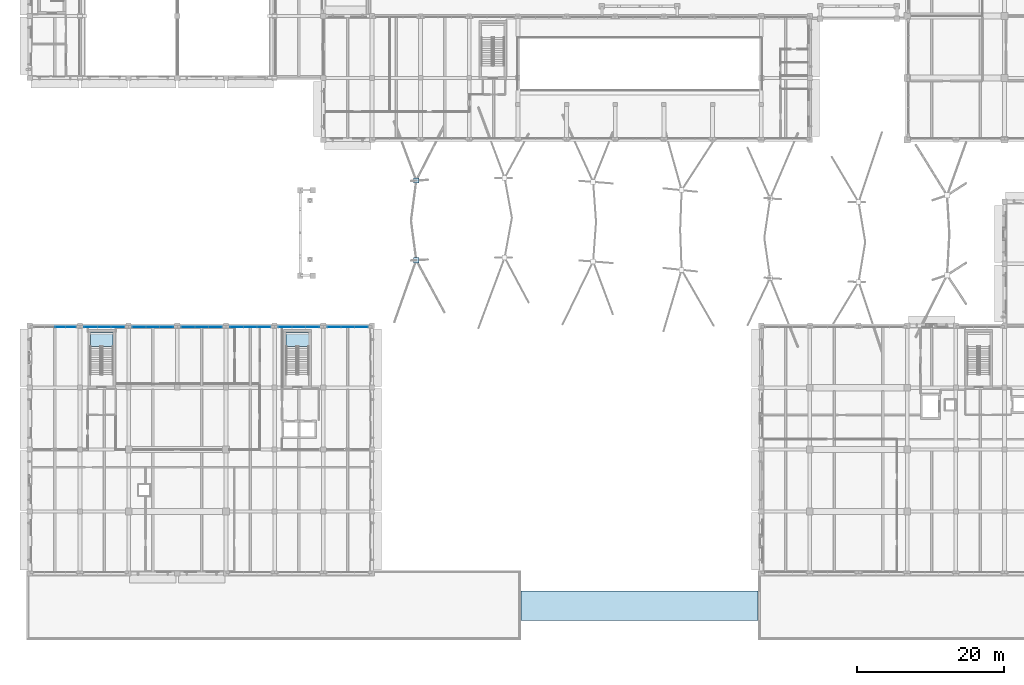
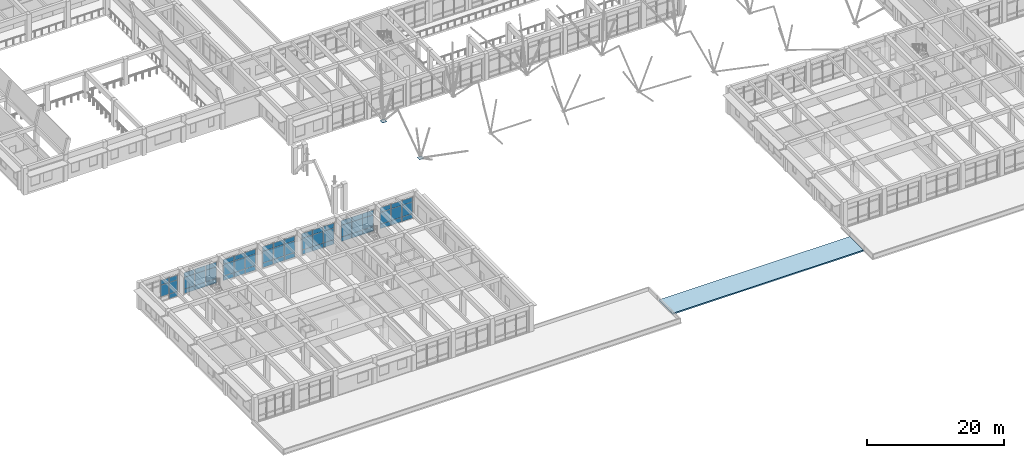
# One storey, part 32 of 75: 61 plates, 3 slabs, 9 elements without a shape of their own.
"""IFC4 building model written with IfcOpenShell, lengths in metres."""

import ifcopenshell
import ifcopenshell.guid

model = None  # the IFC model being written
_history = None  # IfcOwnerHistory: only IFC2X3 demands one
_inside = {}  # id of a spatial element -> (the spatial element, [elements in it])
_under = {}  # id of a project, library or spatial element -> (it, [spatial elements below it])
_declared = {}  # id of a project -> (the project, [libraries it declares])
_typed = {}  # id of a type object -> (the type object, [elements of that type])
_made_of = {}  # id of a material, layer set ... -> (it, [elements and type objects made of it])


def new_model(schema):
    """Start an empty IFC model of exactly this schema.

    Asked for "IFC4X3", IfcOpenShell would pick the latest addendum, in which some entities
    have other attributes; the version numbers below select the first issue.
    IFC2X3 requires an IfcOwnerHistory on every rooted entity: one is made here for all.
    """
    global model, _history
    if schema == "IFC4X3":
        model = ifcopenshell.file(schema_version=(4, 3, 0, 0))
    else:
        model = ifcopenshell.file(schema=schema)
    _inside.clear()
    _under.clear()
    _declared.clear()
    _typed.clear()
    _made_of.clear()
    _history = None
    if model.schema == "IFC2X3":
        org = make("IfcOrganization", Name="unknown")
        user = make(
            "IfcPersonAndOrganization",
            ThePerson=make("IfcPerson", FamilyName="unknown"),
            TheOrganization=org,
        )
        app = make(
            "IfcApplication",
            ApplicationDeveloper=org,
            Version="unknown",
            ApplicationFullName="unknown",
            ApplicationIdentifier="unknown",
        )
        _history = make(
            "IfcOwnerHistory",
            OwningUser=user,
            OwningApplication=app,
            ChangeAction="ADDED",
            CreationDate=0,
        )
    return model


def make(cls, **values):
    """One entity of the class cls with the attributes given. An attribute that is None is left unset."""
    return model.create_entity(
        cls, **{name: value for name, value in values.items() if value is not None}
    )


def rooted(cls, **values):
    """An entity with a GlobalId (a new one), such as an element, a storey or a relation."""
    return make(cls, GlobalId=ifcopenshell.guid.new(), OwnerHistory=_history, **values)


def si_unit(unit_type, name, prefix=None):
    """IfcSIUnit, for example si_unit("LENGTHUNIT", "METRE", prefix="MILLI")."""
    return make("IfcSIUnit", UnitType=unit_type, Prefix=prefix, Name=name)


def assignment(units):
    """IfcUnitAssignment: the units of a project."""
    return None if units is None else make("IfcUnitAssignment", Units=units)


def point(xyz):
    """IfcCartesianPoint."""
    return None if xyz is None else make("IfcCartesianPoint", Coordinates=xyz)


def direction(xyz):
    """IfcDirection."""
    return None if xyz is None else make("IfcDirection", DirectionRatios=xyz)


def frame(location, z_axis=None, x_axis=None):
    """IfcAxis2Placement3D, a coordinate frame: its origin and axes. An axis left out is left unset."""
    return make(
        "IfcAxis2Placement3D",
        Location=point(location),
        Axis=direction(z_axis),
        RefDirection=direction(x_axis),
    )


def frame_2d(location, x_axis=None):
    """IfcAxis2Placement2D, a coordinate frame in the plane: its origin and x axis."""
    return make(
        "IfcAxis2Placement2D", Location=point(location), RefDirection=direction(x_axis)
    )


def origin():
    """The frame at (0, 0, 0) with its axes left unset."""
    return frame((0.0, 0.0, 0.0))


def origin_2d():
    """The frame at (0, 0) in the plane with its x axis left unset."""
    return frame_2d((0.0, 0.0))


def place(relative_to, where):
    """IfcLocalPlacement: puts the frame where relative to a parent placement (None: the world)."""
    return make(
        "IfcLocalPlacement", PlacementRelTo=relative_to, RelativePlacement=where
    )


def context(
    kind, dimensions, precision=None, world=None, true_north=None, identifier=None
):
    """IfcGeometricRepresentationContext, for example the 3D "Model" context."""
    return make(
        "IfcGeometricRepresentationContext",
        ContextIdentifier=identifier,
        ContextType=kind,
        CoordinateSpaceDimension=dimensions,
        Precision=precision,
        WorldCoordinateSystem=world,
        TrueNorth=true_north,
    )


def subcontext(parent, identifier, kind, view, scale=None):
    """IfcGeometricRepresentationSubContext, for example "Body" below "Model"."""
    return make(
        "IfcGeometricRepresentationSubContext",
        ContextIdentifier=identifier,
        ContextType=kind,
        ParentContext=parent,
        TargetScale=scale,
        TargetView=view,
    )


def project(units=None, contexts=None):
    """IfcProject with its units and contexts."""
    return rooted(
        "IfcProject",
        Name="project",
        RepresentationContexts=contexts,
        UnitsInContext=assignment(units),
    )


def spatial(cls, under=None, at=None, **own):
    """A site, building, storey or space (cls), placed at a placement, below another one or the project."""
    s = rooted(cls, ObjectPlacement=at, **own)
    if under is not None:
        _under.setdefault(under.id(), (under, []))[1].append(s)
    return s


def polyline(points):
    """IfcPolyline through the points."""
    return make("IfcPolyline", Points=[point(p) for p in points])


def profile(cls, at=None, kind="AREA", **sizes):
    """A parametric profile (cls). Its sizes go by their IFC names, for example OverallWidth=200.0."""
    return make(cls, ProfileType=kind, Position=at, **sizes)


def rectangle(**sizes):
    """IfcRectangleProfileDef."""
    return profile("IfcRectangleProfileDef", **sizes)


def outline(outer, holes=None, kind="AREA"):
    """IfcArbitraryClosedProfileDef: a profile drawn as a closed curve; with holes, ...WithVoids."""
    if holes is None:
        return make("IfcArbitraryClosedProfileDef", ProfileType=kind, OuterCurve=outer)
    return make(
        "IfcArbitraryProfileDefWithVoids",
        ProfileType=kind,
        OuterCurve=outer,
        InnerCurves=holes,
    )


def extrude(swept, where, along, depth):
    """IfcExtrudedAreaSolid: the profile swept, set in the frame where, extruded along a direction by depth."""
    return make(
        "IfcExtrudedAreaSolid",
        SweptArea=swept,
        Position=where,
        ExtrudedDirection=direction(along),
        Depth=depth,
    )


def shape(context_of_items, identifier, shape_type, items):
    """IfcShapeRepresentation: the items that make up one representation, for example the "Body"."""
    return make(
        "IfcShapeRepresentation",
        ContextOfItems=context_of_items,
        RepresentationIdentifier=identifier,
        RepresentationType=shape_type,
        Items=items,
    )


def material(Name=None, Category=None):
    """IfcMaterial."""
    return make("IfcMaterial", Name=Name, Category=Category)


def layer(
    of_material, thickness, ventilated=None, Name=None, Category=None, Priority=None
):
    """IfcMaterialLayer: one layer of a wall or slab, of a material (None: an air gap)."""
    return make(
        "IfcMaterialLayer",
        Material=of_material,
        LayerThickness=thickness,
        IsVentilated=ventilated,
        Name=Name,
        Category=Category,
        Priority=Priority,
    )


def layer_set(layers, Name=None):
    """IfcMaterialLayerSet."""
    return make("IfcMaterialLayerSet", MaterialLayers=layers, LayerSetName=Name)


def made_of(thing, what):
    """Note that an element or type object is made of a material, layer set ...; save() writes the relation."""
    if what is not None:
        _made_of.setdefault(what.id(), (what, []))[1].append(thing)
    return thing


def type_object(cls, material=None, **own):
    """A type object (cls), such as IfcWallType, which elements share."""
    return made_of(rooted(cls, **own), material)


def element(
    cls,
    number,
    at=None,
    inside=None,
    cuts=None,
    type_object=None,
    material=None,
    context=None,
    identifier="Body",
    shape_type=None,
    held_by="IfcProductDefinitionShape",
    body=None,
    shapes=None,
    **own,
):
    """One element of the class cls, such as IfcWall. Its Tag is "e" and its number.

    at: its placement. inside: the storey or other place that contains it. cuts: it is an
    opening in that element (IfcRelVoidsElement). A single representation is given by context,
    identifier, shape_type and body (its items); several are given by shapes. held_by: the class
    of the entity that holds the representations. save() writes the other relations.
    """
    e = rooted(cls, Tag="e%d" % number, ObjectPlacement=at, **own)
    if body is not None:
        shapes = [shape(context, identifier, shape_type, body)]
    if shapes is not None:
        e.Representation = make(held_by, Representations=shapes)
    if inside is not None:
        _inside.setdefault(inside.id(), (inside, []))[1].append(e)
    if cuts is not None:
        rooted(
            "IfcRelVoidsElement", RelatingBuildingElement=cuts, RelatedOpeningElement=e
        )
    if type_object is not None:
        _typed.setdefault(type_object.id(), (type_object, []))[1].append(e)
    return made_of(e, material)


def aggregate(whole, parts):
    """IfcRelAggregates: a whole, such as a stair, and the parts it consists of."""
    return rooted("IfcRelAggregates", RelatingObject=whole, RelatedObjects=parts)


def save(model, path):
    """Write the relations noted so far, then the file.

    IfcRelAggregates (storeys below a building ...), IfcRelContainedInSpatialStructure (elements
    in a storey), IfcRelDefinesByType, IfcRelAssociatesMaterial and IfcRelDeclares: one each for
    every whole, place, type object, material and project.
    """
    for whole, parts in _under.values():
        aggregate(whole, parts)
    for where, things in _inside.values():
        rooted(
            "IfcRelContainedInSpatialStructure",
            RelatedElements=things,
            RelatingStructure=where,
        )
    for kind, things in _typed.values():
        rooted("IfcRelDefinesByType", RelatedObjects=things, RelatingType=kind)
    for what, things in _made_of.values():
        rooted("IfcRelAssociatesMaterial", RelatedObjects=things, RelatingMaterial=what)
    for by, libraries in _declared.values():
        rooted("IfcRelDeclares", RelatingContext=by, RelatedDefinitions=libraries)
    model.write(path)


model = new_model("IFC4")

# Units and contexts
model_context = context("Model", 3, precision=1e-05, world=origin(), true_north=direction((0.0, 1.0)))
body_context = subcontext(model_context, "Body", "Model", "MODEL_VIEW")
ifc_project = project(units=[si_unit("LENGTHUNIT", "METRE"), si_unit("AREAUNIT", "SQUARE_METRE"), si_unit("VOLUMEUNIT", "CUBIC_METRE"), si_unit("PLANEANGLEUNIT", "RADIAN"), si_unit("MASSUNIT", "GRAM", prefix="KILO")], contexts=[model_context])

# Site, building, storey
site_placement = place(None, origin())
site = spatial("IfcSite", under=ifc_project, at=site_placement, CompositionType="ELEMENT")
building_placement = place(site_placement, origin())
building = spatial("IfcBuilding", under=site, at=building_placement, Name="Kolvaren Faculty of Natural Sciences", CompositionType="ELEMENT")
storey_placement = place(building_placement, frame((0.0, 0.0, 5.39990234375)))
storey = spatial("IfcBuildingStorey", under=building, at=storey_placement, Name="L01", CompositionType="ELEMENT", Elevation=5.39990234375)

# Curtain wall, plates
ifc_material_1 = material(Name="Thermally broken anodised aluminium framing", Category="aluminium")
ifc_layer_1 = layer(ifc_material_1, 0.179931640625)
ifc_layer_set_1 = layer_set([ifc_layer_1], Name="Thermally broken anodised aluminium framing")
curtain_wall_type = type_object("IfcCurtainWallType", Name="CommonsCurtainWall_CW02", PredefinedType="NOTDEFINED", material=ifc_layer_set_1)
curtain_wall_1_placement = place(storey_placement, origin())
curtain_wall_1 = element("IfcCurtainWall", 1, at=curtain_wall_1_placement, inside=storey, type_object=curtain_wall_type, Name="L01 unitised curtain wall CW-02 (CW-L01-023)", PredefinedType="NOTDEFINED")
ifc_material_2 = material(Name="Double low-E solar control insulated glazing", Category="glass")
ifc_layer_2 = layer(ifc_material_2, 0.035888671875)
ifc_layer_set_2 = layer_set([ifc_layer_2], Name="Double low-E solar control insulated glazing")
plate_type_1 = type_object("IfcPlateType", Name="EnvelopePlate_CWPGL1", PredefinedType="CURTAIN_PANEL", material=ifc_layer_set_2)
plate_1_placement = place(storey_placement, frame((4.112548828125, 42.0400390625, 0.920166015625), z_axis=(0.0, 0.0, 1.0), x_axis=(1.0, 0.0, 0.0)))
plate_1 = element("IfcPlate", 2, at=plate_1_placement, type_object=plate_type_1, Name="CW-L01-023 panel 3 V1", PredefinedType="CURTAIN_PANEL", context=body_context, shape_type="SweptSolid", body=[
    extrude(rectangle(XDim=1.375, YDim=0.035888671875, at=origin_2d()), origin(), (0.0, 0.0, 1.0), 2.044921875),
])
plate_2_placement = place(storey_placement, frame((5.53759765625, 42.0400390625, 0.920166015625), z_axis=(0.0, 0.0, 1.0), x_axis=(1.0, 0.0, 0.0)))
plate_2 = element("IfcPlate", 3, at=plate_2_placement, type_object=plate_type_1, Name="CW-L01-023 panel 4 V1", PredefinedType="CURTAIN_PANEL", context=body_context, shape_type="SweptSolid", body=[
    extrude(rectangle(XDim=1.375, YDim=0.035888671875, at=origin_2d()), origin(), (0.0, 0.0, 1.0), 2.044921875),
])

curtain_wall_2_placement = place(storey_placement, origin())
curtain_wall_2 = element("IfcCurtainWall", 4, at=curtain_wall_2_placement, inside=storey, type_object=curtain_wall_type, Name="L01 unitised curtain wall CW-02 (CW-L01-024)", PredefinedType="NOTDEFINED")
plate_3_placement = place(storey_placement, frame((8.2666015625, 42.0400390625, 0.920166015625), z_axis=(0.0, 0.0, 1.0), x_axis=(1.0, 0.0, 0.0)))
plate_3 = element("IfcPlate", 5, at=plate_3_placement, type_object=plate_type_1, Name="CW-L01-024 panel 1 V1", PredefinedType="CURTAIN_PANEL", context=body_context, shape_type="SweptSolid", body=[
    extrude(rectangle(XDim=1.783203125, YDim=0.035888671875, at=origin_2d()), origin(), (0.0, 0.0, 1.0), 2.044921875),
])
plate_4_placement = place(storey_placement, frame((10.10009765625, 42.0400390625, 0.920166015625), z_axis=(0.0, 0.0, 1.0), x_axis=(1.0, 0.0, 0.0)))
plate_4 = element("IfcPlate", 6, at=plate_4_placement, type_object=plate_type_1, Name="CW-L01-024 panel 2 V1", PredefinedType="CURTAIN_PANEL", context=body_context, shape_type="SweptSolid", body=[
    extrude(rectangle(XDim=1.783203125, YDim=0.035888671875, at=origin_2d()), origin(), (0.0, 0.0, 1.0), 2.044921875),
])
plate_5_placement = place(storey_placement, frame((11.933349609375, 42.0400390625, 0.920166015625), z_axis=(0.0, 0.0, 1.0), x_axis=(1.0, 0.0, 0.0)))
plate_5 = element("IfcPlate", 7, at=plate_5_placement, type_object=plate_type_1, Name="CW-L01-024 panel 3 V1", PredefinedType="CURTAIN_PANEL", context=body_context, shape_type="SweptSolid", body=[
    extrude(rectangle(XDim=1.783203125, YDim=0.035888671875, at=origin_2d()), origin(), (0.0, 0.0, 1.0), 2.044921875),
])

curtain_wall_3_placement = place(storey_placement, origin())
curtain_wall_3 = element("IfcCurtainWall", 8, at=curtain_wall_3_placement, inside=storey, type_object=curtain_wall_type, Name="L01 unitised curtain wall CW-02 (CW-L01-025)", PredefinedType="NOTDEFINED")
plate_6_placement = place(storey_placement, frame((14.86669921875, 42.0400390625, 0.920166015625), z_axis=(0.0, 0.0, 1.0), x_axis=(1.0, 0.0, 0.0)))
plate_6 = element("IfcPlate", 9, at=plate_6_placement, type_object=plate_type_1, Name="CW-L01-025 panel 1 V1", PredefinedType="CURTAIN_PANEL", context=body_context, shape_type="SweptSolid", body=[
    extrude(rectangle(XDim=1.783203125, YDim=0.035888671875, at=origin_2d()), origin(), (0.0, 0.0, 1.0), 2.044921875),
])
plate_7_placement = place(storey_placement, frame((16.699951171875, 42.0400390625, 0.920166015625), z_axis=(0.0, 0.0, 1.0), x_axis=(1.0, 0.0, 0.0)))
plate_7 = element("IfcPlate", 10, at=plate_7_placement, type_object=plate_type_1, Name="CW-L01-025 panel 2 V1", PredefinedType="CURTAIN_PANEL", context=body_context, shape_type="SweptSolid", body=[
    extrude(rectangle(XDim=1.783203125, YDim=0.035888671875, at=origin_2d()), origin(), (0.0, 0.0, 1.0), 2.044921875),
])
plate_8_placement = place(storey_placement, frame((18.533203125, 42.0400390625, 0.920166015625), z_axis=(0.0, 0.0, 1.0), x_axis=(1.0, 0.0, 0.0)))
plate_8 = element("IfcPlate", 11, at=plate_8_placement, type_object=plate_type_1, Name="CW-L01-025 panel 3 V1", PredefinedType="CURTAIN_PANEL", context=body_context, shape_type="SweptSolid", body=[
    extrude(rectangle(XDim=1.783203125, YDim=0.035888671875, at=origin_2d()), origin(), (0.0, 0.0, 1.0), 2.044921875),
])

curtain_wall_4_placement = place(storey_placement, origin())
curtain_wall_4 = element("IfcCurtainWall", 12, at=curtain_wall_4_placement, inside=storey, type_object=curtain_wall_type, Name="L01 unitised curtain wall CW-02 (CW-L01-026)", PredefinedType="NOTDEFINED")
plate_9_placement = place(storey_placement, frame((21.466796875, 42.0400390625, 0.920166015625), z_axis=(0.0, 0.0, 1.0), x_axis=(1.0, 0.0, 0.0)))
plate_9 = element("IfcPlate", 13, at=plate_9_placement, type_object=plate_type_1, Name="CW-L01-026 panel 1 V1", PredefinedType="CURTAIN_PANEL", context=body_context, shape_type="SweptSolid", body=[
    extrude(rectangle(XDim=1.783203125, YDim=0.035888671875, at=origin_2d()), origin(), (0.0, 0.0, 1.0), 2.044921875),
])
plate_10_placement = place(storey_placement, frame((23.300048828125, 42.0400390625, 0.920166015625), z_axis=(0.0, 0.0, 1.0), x_axis=(1.0, 0.0, 0.0)))
plate_10 = element("IfcPlate", 14, at=plate_10_placement, type_object=plate_type_1, Name="CW-L01-026 panel 2 V1", PredefinedType="CURTAIN_PANEL", context=body_context, shape_type="SweptSolid", body=[
    extrude(rectangle(XDim=1.783203125, YDim=0.035888671875, at=origin_2d()), origin(), (0.0, 0.0, 1.0), 2.044921875),
])
plate_11_placement = place(storey_placement, frame((25.13330078125, 42.0400390625, 0.920166015625), z_axis=(0.0, 0.0, 1.0), x_axis=(1.0, 0.0, 0.0)))
plate_11 = element("IfcPlate", 15, at=plate_11_placement, type_object=plate_type_1, Name="CW-L01-026 panel 3 V1", PredefinedType="CURTAIN_PANEL", context=body_context, shape_type="SweptSolid", body=[
    extrude(rectangle(XDim=1.783203125, YDim=0.035888671875, at=origin_2d()), origin(), (0.0, 0.0, 1.0), 2.044921875),
])

curtain_wall_5_placement = place(storey_placement, origin())
curtain_wall_5 = element("IfcCurtainWall", 16, at=curtain_wall_5_placement, inside=storey, type_object=curtain_wall_type, Name="L01 unitised curtain wall CW-02 (CW-L01-027)", PredefinedType="NOTDEFINED")
plate_12_placement = place(storey_placement, frame((28.066650390625, 42.0400390625, 0.920166015625), z_axis=(0.0, 0.0, 1.0), x_axis=(1.0, 0.0, 0.0)))
plate_12 = element("IfcPlate", 17, at=plate_12_placement, type_object=plate_type_1, Name="CW-L01-027 panel 1 V1", PredefinedType="CURTAIN_PANEL", context=body_context, shape_type="SweptSolid", body=[
    extrude(rectangle(XDim=1.783203125, YDim=0.035888671875, at=origin_2d()), origin(), (0.0, 0.0, 1.0), 2.044921875),
])
plate_13_placement = place(storey_placement, frame((29.89990234375, 42.0400390625, 0.920166015625), z_axis=(0.0, 0.0, 1.0), x_axis=(1.0, 0.0, 0.0)))
plate_13 = element("IfcPlate", 18, at=plate_13_placement, type_object=plate_type_1, Name="CW-L01-027 panel 2 V1", PredefinedType="CURTAIN_PANEL", context=body_context, shape_type="SweptSolid", body=[
    extrude(rectangle(XDim=1.783203125, YDim=0.035888671875, at=origin_2d()), origin(), (0.0, 0.0, 1.0), 2.044921875),
])
plate_14_placement = place(storey_placement, frame((31.7333984375, 42.0400390625, 0.920166015625), z_axis=(0.0, 0.0, 1.0), x_axis=(1.0, 0.0, 0.0)))
plate_14 = element("IfcPlate", 19, at=plate_14_placement, type_object=plate_type_1, Name="CW-L01-027 panel 3 V1", PredefinedType="CURTAIN_PANEL", context=body_context, shape_type="SweptSolid", body=[
    extrude(rectangle(XDim=1.783203125, YDim=0.035888671875, at=origin_2d()), origin(), (0.0, 0.0, 1.0), 2.044921875),
])

curtain_wall_6_placement = place(storey_placement, origin())
curtain_wall_6 = element("IfcCurtainWall", 20, at=curtain_wall_6_placement, inside=storey, type_object=curtain_wall_type, Name="L01 unitised curtain wall CW-02 (CW-L01-028)", PredefinedType="NOTDEFINED")
plate_15_placement = place(storey_placement, frame((34.666748046875, 42.0400390625, 0.920166015625), z_axis=(0.0, 0.0, 1.0), x_axis=(1.0, 0.0, 0.0)))
plate_15 = element("IfcPlate", 21, at=plate_15_placement, type_object=plate_type_1, Name="CW-L01-028 panel 1 V1", PredefinedType="CURTAIN_PANEL", context=body_context, shape_type="SweptSolid", body=[
    extrude(rectangle(XDim=1.783203125, YDim=0.035888671875, at=origin_2d()), origin(), (0.0, 0.0, 1.0), 2.044921875),
])
plate_16_placement = place(storey_placement, frame((36.5, 42.0400390625, 0.920166015625), z_axis=(0.0, 0.0, 1.0), x_axis=(1.0, 0.0, 0.0)))
plate_16 = element("IfcPlate", 22, at=plate_16_placement, type_object=plate_type_1, Name="CW-L01-028 panel 2 V1", PredefinedType="CURTAIN_PANEL", context=body_context, shape_type="SweptSolid", body=[
    extrude(rectangle(XDim=1.783203125, YDim=0.035888671875, at=origin_2d()), origin(), (0.0, 0.0, 1.0), 2.044921875),
])
plate_17_placement = place(storey_placement, frame((38.333251953125, 42.0400390625, 0.920166015625), z_axis=(0.0, 0.0, 1.0), x_axis=(1.0, 0.0, 0.0)))
plate_17 = element("IfcPlate", 23, at=plate_17_placement, type_object=plate_type_1, Name="CW-L01-028 panel 3 V1", PredefinedType="CURTAIN_PANEL", context=body_context, shape_type="SweptSolid", body=[
    extrude(rectangle(XDim=1.783203125, YDim=0.035888671875, at=origin_2d()), origin(), (0.0, 0.0, 1.0), 2.044921875),
])

curtain_wall_7_placement = place(storey_placement, origin())
curtain_wall_7 = element("IfcCurtainWall", 24, at=curtain_wall_7_placement, inside=storey, type_object=curtain_wall_type, Name="L01 unitised curtain wall CW-02 (CW-L01-029)", PredefinedType="NOTDEFINED")
plate_18_placement = place(storey_placement, frame((41.2666015625, 42.0400390625, 0.920166015625), z_axis=(0.0, 0.0, 1.0), x_axis=(1.0, 0.0, 0.0)))
plate_18 = element("IfcPlate", 25, at=plate_18_placement, type_object=plate_type_1, Name="CW-L01-029 panel 1 V1", PredefinedType="CURTAIN_PANEL", context=body_context, shape_type="SweptSolid", body=[
    extrude(rectangle(XDim=1.783203125, YDim=0.035888671875, at=origin_2d()), origin(), (0.0, 0.0, 1.0), 2.044921875),
])
plate_19_placement = place(storey_placement, frame((43.10009765625, 42.0400390625, 0.920166015625), z_axis=(0.0, 0.0, 1.0), x_axis=(1.0, 0.0, 0.0)))
plate_19 = element("IfcPlate", 26, at=plate_19_placement, type_object=plate_type_1, Name="CW-L01-029 panel 2 V1", PredefinedType="CURTAIN_PANEL", context=body_context, shape_type="SweptSolid", body=[
    extrude(rectangle(XDim=1.783203125, YDim=0.035888671875, at=origin_2d()), origin(), (0.0, 0.0, 1.0), 2.044921875),
])
plate_20_placement = place(storey_placement, frame((44.933349609375, 42.0400390625, 0.920166015625), z_axis=(0.0, 0.0, 1.0), x_axis=(1.0, 0.0, 0.0)))
plate_20 = element("IfcPlate", 27, at=plate_20_placement, type_object=plate_type_1, Name="CW-L01-029 panel 3 V1", PredefinedType="CURTAIN_PANEL", context=body_context, shape_type="SweptSolid", body=[
    extrude(rectangle(XDim=1.783203125, YDim=0.035888671875, at=origin_2d()), origin(), (0.0, 0.0, 1.0), 2.044921875),
])

# Plate
ifc_layer_3 = layer(ifc_material_2, 0.035888671875)
ifc_layer_set_3 = layer_set([ifc_layer_3], Name="Double low-E solar control insulated glazing")
plate_type_2 = type_object("IfcPlateType", Name="EnvelopePlate_CWPGL2", PredefinedType="CURTAIN_PANEL", material=ifc_layer_set_3)
plate_21_placement = place(storey_placement, frame((4.112548828125, 42.0400390625, 3.005126953125), z_axis=(0.0, 0.0, 1.0), x_axis=(1.0, 0.0, 0.0)))
plate_21 = element("IfcPlate", 28, at=plate_21_placement, type_object=plate_type_2, Name="CW-L01-023 panel 3 V2", PredefinedType="CURTAIN_PANEL", context=body_context, shape_type="SweptSolid", body=[
    extrude(rectangle(XDim=1.375, YDim=0.035888671875, at=origin_2d()), origin(), (0.0, 0.0, 1.0), 0.830078125),
])

plate_22_placement = place(storey_placement, frame((5.53759765625, 42.0400390625, 3.005126953125), z_axis=(0.0, 0.0, 1.0), x_axis=(1.0, 0.0, 0.0)))
plate_22 = element("IfcPlate", 29, at=plate_22_placement, type_object=plate_type_2, Name="CW-L01-023 panel 4 V2", PredefinedType="CURTAIN_PANEL", context=body_context, shape_type="SweptSolid", body=[
    extrude(rectangle(XDim=1.375, YDim=0.035888671875, at=origin_2d()), origin(), (0.0, 0.0, 1.0), 0.830078125),
])

plate_23_placement = place(storey_placement, frame((8.2666015625, 42.0400390625, 3.005126953125), z_axis=(0.0, 0.0, 1.0), x_axis=(1.0, 0.0, 0.0)))
plate_23 = element("IfcPlate", 30, at=plate_23_placement, type_object=plate_type_2, Name="CW-L01-024 panel 1 V2", PredefinedType="CURTAIN_PANEL", context=body_context, shape_type="SweptSolid", body=[
    extrude(rectangle(XDim=1.783203125, YDim=0.035888671875, at=origin_2d()), origin(), (0.0, 0.0, 1.0), 0.830078125),
])

plate_24_placement = place(storey_placement, frame((10.10009765625, 42.0400390625, 3.005126953125), z_axis=(0.0, 0.0, 1.0), x_axis=(1.0, 0.0, 0.0)))
plate_24 = element("IfcPlate", 31, at=plate_24_placement, type_object=plate_type_2, Name="CW-L01-024 panel 2 V2", PredefinedType="CURTAIN_PANEL", context=body_context, shape_type="SweptSolid", body=[
    extrude(rectangle(XDim=1.783203125, YDim=0.035888671875, at=origin_2d()), origin(), (0.0, 0.0, 1.0), 0.830078125),
])

plate_25_placement = place(storey_placement, frame((11.933349609375, 42.0400390625, 3.005126953125), z_axis=(0.0, 0.0, 1.0), x_axis=(1.0, 0.0, 0.0)))
plate_25 = element("IfcPlate", 32, at=plate_25_placement, type_object=plate_type_2, Name="CW-L01-024 panel 3 V2", PredefinedType="CURTAIN_PANEL", context=body_context, shape_type="SweptSolid", body=[
    extrude(rectangle(XDim=1.783203125, YDim=0.035888671875, at=origin_2d()), origin(), (0.0, 0.0, 1.0), 0.830078125),
])

plate_26_placement = place(storey_placement, frame((14.86669921875, 42.0400390625, 3.005126953125), z_axis=(0.0, 0.0, 1.0), x_axis=(1.0, 0.0, 0.0)))
plate_26 = element("IfcPlate", 33, at=plate_26_placement, type_object=plate_type_2, Name="CW-L01-025 panel 1 V2", PredefinedType="CURTAIN_PANEL", context=body_context, shape_type="SweptSolid", body=[
    extrude(rectangle(XDim=1.783203125, YDim=0.035888671875, at=origin_2d()), origin(), (0.0, 0.0, 1.0), 0.830078125),
])

plate_27_placement = place(storey_placement, frame((16.699951171875, 42.0400390625, 3.005126953125), z_axis=(0.0, 0.0, 1.0), x_axis=(1.0, 0.0, 0.0)))
plate_27 = element("IfcPlate", 34, at=plate_27_placement, type_object=plate_type_2, Name="CW-L01-025 panel 2 V2", PredefinedType="CURTAIN_PANEL", context=body_context, shape_type="SweptSolid", body=[
    extrude(rectangle(XDim=1.783203125, YDim=0.035888671875, at=origin_2d()), origin(), (0.0, 0.0, 1.0), 0.830078125),
])

plate_28_placement = place(storey_placement, frame((18.533203125, 42.0400390625, 3.005126953125), z_axis=(0.0, 0.0, 1.0), x_axis=(1.0, 0.0, 0.0)))
plate_28 = element("IfcPlate", 35, at=plate_28_placement, type_object=plate_type_2, Name="CW-L01-025 panel 3 V2", PredefinedType="CURTAIN_PANEL", context=body_context, shape_type="SweptSolid", body=[
    extrude(rectangle(XDim=1.783203125, YDim=0.035888671875, at=origin_2d()), origin(), (0.0, 0.0, 1.0), 0.830078125),
])

plate_29_placement = place(storey_placement, frame((21.466796875, 42.0400390625, 3.005126953125), z_axis=(0.0, 0.0, 1.0), x_axis=(1.0, 0.0, 0.0)))
plate_29 = element("IfcPlate", 36, at=plate_29_placement, type_object=plate_type_2, Name="CW-L01-026 panel 1 V2", PredefinedType="CURTAIN_PANEL", context=body_context, shape_type="SweptSolid", body=[
    extrude(rectangle(XDim=1.783203125, YDim=0.035888671875, at=origin_2d()), origin(), (0.0, 0.0, 1.0), 0.830078125),
])

plate_30_placement = place(storey_placement, frame((23.300048828125, 42.0400390625, 3.005126953125), z_axis=(0.0, 0.0, 1.0), x_axis=(1.0, 0.0, 0.0)))
plate_30 = element("IfcPlate", 37, at=plate_30_placement, type_object=plate_type_2, Name="CW-L01-026 panel 2 V2", PredefinedType="CURTAIN_PANEL", context=body_context, shape_type="SweptSolid", body=[
    extrude(rectangle(XDim=1.783203125, YDim=0.035888671875, at=origin_2d()), origin(), (0.0, 0.0, 1.0), 0.830078125),
])

plate_31_placement = place(storey_placement, frame((25.13330078125, 42.0400390625, 3.005126953125), z_axis=(0.0, 0.0, 1.0), x_axis=(1.0, 0.0, 0.0)))
plate_31 = element("IfcPlate", 38, at=plate_31_placement, type_object=plate_type_2, Name="CW-L01-026 panel 3 V2", PredefinedType="CURTAIN_PANEL", context=body_context, shape_type="SweptSolid", body=[
    extrude(rectangle(XDim=1.783203125, YDim=0.035888671875, at=origin_2d()), origin(), (0.0, 0.0, 1.0), 0.830078125),
])

plate_32_placement = place(storey_placement, frame((28.066650390625, 42.0400390625, 3.005126953125), z_axis=(0.0, 0.0, 1.0), x_axis=(1.0, 0.0, 0.0)))
plate_32 = element("IfcPlate", 39, at=plate_32_placement, type_object=plate_type_2, Name="CW-L01-027 panel 1 V2", PredefinedType="CURTAIN_PANEL", context=body_context, shape_type="SweptSolid", body=[
    extrude(rectangle(XDim=1.783203125, YDim=0.035888671875, at=origin_2d()), origin(), (0.0, 0.0, 1.0), 0.830078125),
])

plate_33_placement = place(storey_placement, frame((29.89990234375, 42.0400390625, 3.005126953125), z_axis=(0.0, 0.0, 1.0), x_axis=(1.0, 0.0, 0.0)))
plate_33 = element("IfcPlate", 40, at=plate_33_placement, type_object=plate_type_2, Name="CW-L01-027 panel 2 V2", PredefinedType="CURTAIN_PANEL", context=body_context, shape_type="SweptSolid", body=[
    extrude(rectangle(XDim=1.783203125, YDim=0.035888671875, at=origin_2d()), origin(), (0.0, 0.0, 1.0), 0.830078125),
])

plate_34_placement = place(storey_placement, frame((31.7333984375, 42.0400390625, 3.005126953125), z_axis=(0.0, 0.0, 1.0), x_axis=(1.0, 0.0, 0.0)))
plate_34 = element("IfcPlate", 41, at=plate_34_placement, type_object=plate_type_2, Name="CW-L01-027 panel 3 V2", PredefinedType="CURTAIN_PANEL", context=body_context, shape_type="SweptSolid", body=[
    extrude(rectangle(XDim=1.783203125, YDim=0.035888671875, at=origin_2d()), origin(), (0.0, 0.0, 1.0), 0.830078125),
])

plate_35_placement = place(storey_placement, frame((34.666748046875, 42.0400390625, 3.005126953125), z_axis=(0.0, 0.0, 1.0), x_axis=(1.0, 0.0, 0.0)))
plate_35 = element("IfcPlate", 42, at=plate_35_placement, type_object=plate_type_2, Name="CW-L01-028 panel 1 V2", PredefinedType="CURTAIN_PANEL", context=body_context, shape_type="SweptSolid", body=[
    extrude(rectangle(XDim=1.783203125, YDim=0.035888671875, at=origin_2d()), origin(), (0.0, 0.0, 1.0), 0.830078125),
])

plate_36_placement = place(storey_placement, frame((36.5, 42.0400390625, 3.005126953125), z_axis=(0.0, 0.0, 1.0), x_axis=(1.0, 0.0, 0.0)))
plate_36 = element("IfcPlate", 43, at=plate_36_placement, type_object=plate_type_2, Name="CW-L01-028 panel 2 V2", PredefinedType="CURTAIN_PANEL", context=body_context, shape_type="SweptSolid", body=[
    extrude(rectangle(XDim=1.783203125, YDim=0.035888671875, at=origin_2d()), origin(), (0.0, 0.0, 1.0), 0.830078125),
])

plate_37_placement = place(storey_placement, frame((38.333251953125, 42.0400390625, 3.005126953125), z_axis=(0.0, 0.0, 1.0), x_axis=(1.0, 0.0, 0.0)))
plate_37 = element("IfcPlate", 44, at=plate_37_placement, type_object=plate_type_2, Name="CW-L01-028 panel 3 V2", PredefinedType="CURTAIN_PANEL", context=body_context, shape_type="SweptSolid", body=[
    extrude(rectangle(XDim=1.783203125, YDim=0.035888671875, at=origin_2d()), origin(), (0.0, 0.0, 1.0), 0.830078125),
])

plate_38_placement = place(storey_placement, frame((41.2666015625, 42.0400390625, 3.005126953125), z_axis=(0.0, 0.0, 1.0), x_axis=(1.0, 0.0, 0.0)))
plate_38 = element("IfcPlate", 45, at=plate_38_placement, type_object=plate_type_2, Name="CW-L01-029 panel 1 V2", PredefinedType="CURTAIN_PANEL", context=body_context, shape_type="SweptSolid", body=[
    extrude(rectangle(XDim=1.783203125, YDim=0.035888671875, at=origin_2d()), origin(), (0.0, 0.0, 1.0), 0.830078125),
])

plate_39_placement = place(storey_placement, frame((43.10009765625, 42.0400390625, 3.005126953125), z_axis=(0.0, 0.0, 1.0), x_axis=(1.0, 0.0, 0.0)))
plate_39 = element("IfcPlate", 46, at=plate_39_placement, type_object=plate_type_2, Name="CW-L01-029 panel 2 V2", PredefinedType="CURTAIN_PANEL", context=body_context, shape_type="SweptSolid", body=[
    extrude(rectangle(XDim=1.783203125, YDim=0.035888671875, at=origin_2d()), origin(), (0.0, 0.0, 1.0), 0.830078125),
])

plate_40_placement = place(storey_placement, frame((44.933349609375, 42.0400390625, 3.005126953125), z_axis=(0.0, 0.0, 1.0), x_axis=(1.0, 0.0, 0.0)))
plate_40 = element("IfcPlate", 47, at=plate_40_placement, type_object=plate_type_2, Name="CW-L01-029 panel 3 V2", PredefinedType="CURTAIN_PANEL", context=body_context, shape_type="SweptSolid", body=[
    extrude(rectangle(XDim=1.783203125, YDim=0.035888671875, at=origin_2d()), origin(), (0.0, 0.0, 1.0), 0.830078125),
])

ifc_material_3 = material(Name="Insulated anodised aluminium spandrel panel", Category="aluminium")
ifc_layer_4 = layer(ifc_material_3, 0.050048828125)
ifc_layer_set_4 = layer_set([ifc_layer_4], Name="Insulated anodised aluminium spandrel panel")
plate_type_3 = type_object("IfcPlateType", Name="EnvelopePlate_CWPSP1", PredefinedType="SHEET", material=ifc_layer_set_4)
plate_41_placement = place(storey_placement, frame((5.53759765625, 42.0400390625, 0.10009765625), z_axis=(0.0, 0.0, 1.0), x_axis=(1.0, 0.0, 0.0)))
plate_41 = element("IfcPlate", 48, at=plate_41_placement, type_object=plate_type_3, Name="CW-L01-023 panel 4 SP", PredefinedType="SHEET", context=body_context, shape_type="SweptSolid", body=[
    extrude(rectangle(XDim=1.375, YDim=0.050048828125, at=origin_2d()), origin(), (0.0, 0.0, 1.0), 0.780029296875),
])

aggregate(curtain_wall_1, [plate_1, plate_21, plate_41, plate_2, plate_22])

plate_42_placement = place(storey_placement, frame((8.2666015625, 42.0400390625, 0.10009765625), z_axis=(0.0, 0.0, 1.0), x_axis=(1.0, 0.0, 0.0)))
plate_42 = element("IfcPlate", 49, at=plate_42_placement, type_object=plate_type_3, Name="CW-L01-024 panel 1 SP", PredefinedType="SHEET", context=body_context, shape_type="SweptSolid", body=[
    extrude(rectangle(XDim=1.783203125, YDim=0.050048828125, at=origin_2d()), origin(), (0.0, 0.0, 1.0), 0.780029296875),
])

plate_43_placement = place(storey_placement, frame((10.10009765625, 42.0400390625, 0.10009765625), z_axis=(0.0, 0.0, 1.0), x_axis=(1.0, 0.0, 0.0)))
plate_43 = element("IfcPlate", 50, at=plate_43_placement, type_object=plate_type_3, Name="CW-L01-024 panel 2 SP", PredefinedType="SHEET", context=body_context, shape_type="SweptSolid", body=[
    extrude(rectangle(XDim=1.783203125, YDim=0.050048828125, at=origin_2d()), origin(), (0.0, 0.0, 1.0), 0.780029296875),
])

plate_44_placement = place(storey_placement, frame((11.933349609375, 42.0400390625, 0.10009765625), z_axis=(0.0, 0.0, 1.0), x_axis=(1.0, 0.0, 0.0)))
plate_44 = element("IfcPlate", 51, at=plate_44_placement, type_object=plate_type_3, Name="CW-L01-024 panel 3 SP", PredefinedType="SHEET", context=body_context, shape_type="SweptSolid", body=[
    extrude(rectangle(XDim=1.783203125, YDim=0.050048828125, at=origin_2d()), origin(), (0.0, 0.0, 1.0), 0.780029296875),
])

aggregate(curtain_wall_2, [plate_42, plate_3, plate_23, plate_43, plate_4, plate_24, plate_44, plate_5, plate_25])

plate_45_placement = place(storey_placement, frame((14.86669921875, 42.0400390625, 0.10009765625), z_axis=(0.0, 0.0, 1.0), x_axis=(1.0, 0.0, 0.0)))
plate_45 = element("IfcPlate", 52, at=plate_45_placement, type_object=plate_type_3, Name="CW-L01-025 panel 1 SP", PredefinedType="SHEET", context=body_context, shape_type="SweptSolid", body=[
    extrude(rectangle(XDim=1.783203125, YDim=0.050048828125, at=origin_2d()), origin(), (0.0, 0.0, 1.0), 0.780029296875),
])

plate_46_placement = place(storey_placement, frame((16.699951171875, 42.0400390625, 0.10009765625), z_axis=(0.0, 0.0, 1.0), x_axis=(1.0, 0.0, 0.0)))
plate_46 = element("IfcPlate", 53, at=plate_46_placement, type_object=plate_type_3, Name="CW-L01-025 panel 2 SP", PredefinedType="SHEET", context=body_context, shape_type="SweptSolid", body=[
    extrude(rectangle(XDim=1.783203125, YDim=0.050048828125, at=origin_2d()), origin(), (0.0, 0.0, 1.0), 0.780029296875),
])

plate_47_placement = place(storey_placement, frame((18.533203125, 42.0400390625, 0.10009765625), z_axis=(0.0, 0.0, 1.0), x_axis=(1.0, 0.0, 0.0)))
plate_47 = element("IfcPlate", 54, at=plate_47_placement, type_object=plate_type_3, Name="CW-L01-025 panel 3 SP", PredefinedType="SHEET", context=body_context, shape_type="SweptSolid", body=[
    extrude(rectangle(XDim=1.783203125, YDim=0.050048828125, at=origin_2d()), origin(), (0.0, 0.0, 1.0), 0.780029296875),
])

aggregate(curtain_wall_3, [plate_45, plate_6, plate_26, plate_46, plate_7, plate_27, plate_47, plate_8, plate_28])

plate_48_placement = place(storey_placement, frame((21.466796875, 42.0400390625, 0.10009765625), z_axis=(0.0, 0.0, 1.0), x_axis=(1.0, 0.0, 0.0)))
plate_48 = element("IfcPlate", 55, at=plate_48_placement, type_object=plate_type_3, Name="CW-L01-026 panel 1 SP", PredefinedType="SHEET", context=body_context, shape_type="SweptSolid", body=[
    extrude(rectangle(XDim=1.783203125, YDim=0.050048828125, at=origin_2d()), origin(), (0.0, 0.0, 1.0), 0.780029296875),
])

plate_49_placement = place(storey_placement, frame((23.300048828125, 42.0400390625, 0.10009765625), z_axis=(0.0, 0.0, 1.0), x_axis=(1.0, 0.0, 0.0)))
plate_49 = element("IfcPlate", 56, at=plate_49_placement, type_object=plate_type_3, Name="CW-L01-026 panel 2 SP", PredefinedType="SHEET", context=body_context, shape_type="SweptSolid", body=[
    extrude(rectangle(XDim=1.783203125, YDim=0.050048828125, at=origin_2d()), origin(), (0.0, 0.0, 1.0), 0.780029296875),
])

plate_50_placement = place(storey_placement, frame((25.13330078125, 42.0400390625, 0.10009765625), z_axis=(0.0, 0.0, 1.0), x_axis=(1.0, 0.0, 0.0)))
plate_50 = element("IfcPlate", 57, at=plate_50_placement, type_object=plate_type_3, Name="CW-L01-026 panel 3 SP", PredefinedType="SHEET", context=body_context, shape_type="SweptSolid", body=[
    extrude(rectangle(XDim=1.783203125, YDim=0.050048828125, at=origin_2d()), origin(), (0.0, 0.0, 1.0), 0.780029296875),
])

aggregate(curtain_wall_4, [plate_48, plate_9, plate_29, plate_49, plate_10, plate_30, plate_50, plate_11, plate_31])

plate_51_placement = place(storey_placement, frame((28.066650390625, 42.0400390625, 0.10009765625), z_axis=(0.0, 0.0, 1.0), x_axis=(1.0, 0.0, 0.0)))
plate_51 = element("IfcPlate", 58, at=plate_51_placement, type_object=plate_type_3, Name="CW-L01-027 panel 1 SP", PredefinedType="SHEET", context=body_context, shape_type="SweptSolid", body=[
    extrude(rectangle(XDim=1.783203125, YDim=0.050048828125, at=origin_2d()), origin(), (0.0, 0.0, 1.0), 0.780029296875),
])

plate_52_placement = place(storey_placement, frame((29.89990234375, 42.0400390625, 0.10009765625), z_axis=(0.0, 0.0, 1.0), x_axis=(1.0, 0.0, 0.0)))
plate_52 = element("IfcPlate", 59, at=plate_52_placement, type_object=plate_type_3, Name="CW-L01-027 panel 2 SP", PredefinedType="SHEET", context=body_context, shape_type="SweptSolid", body=[
    extrude(rectangle(XDim=1.783203125, YDim=0.050048828125, at=origin_2d()), origin(), (0.0, 0.0, 1.0), 0.780029296875),
])

plate_53_placement = place(storey_placement, frame((31.7333984375, 42.0400390625, 0.10009765625), z_axis=(0.0, 0.0, 1.0), x_axis=(1.0, 0.0, 0.0)))
plate_53 = element("IfcPlate", 60, at=plate_53_placement, type_object=plate_type_3, Name="CW-L01-027 panel 3 SP", PredefinedType="SHEET", context=body_context, shape_type="SweptSolid", body=[
    extrude(rectangle(XDim=1.783203125, YDim=0.050048828125, at=origin_2d()), origin(), (0.0, 0.0, 1.0), 0.780029296875),
])

aggregate(curtain_wall_5, [plate_51, plate_12, plate_32, plate_52, plate_13, plate_33, plate_53, plate_14, plate_34])

plate_54_placement = place(storey_placement, frame((34.666748046875, 42.0400390625, 0.10009765625), z_axis=(0.0, 0.0, 1.0), x_axis=(1.0, 0.0, 0.0)))
plate_54 = element("IfcPlate", 61, at=plate_54_placement, type_object=plate_type_3, Name="CW-L01-028 panel 1 SP", PredefinedType="SHEET", context=body_context, shape_type="SweptSolid", body=[
    extrude(rectangle(XDim=1.783203125, YDim=0.050048828125, at=origin_2d()), origin(), (0.0, 0.0, 1.0), 0.780029296875),
])

plate_55_placement = place(storey_placement, frame((36.5, 42.0400390625, 0.10009765625), z_axis=(0.0, 0.0, 1.0), x_axis=(1.0, 0.0, 0.0)))
plate_55 = element("IfcPlate", 62, at=plate_55_placement, type_object=plate_type_3, Name="CW-L01-028 panel 2 SP", PredefinedType="SHEET", context=body_context, shape_type="SweptSolid", body=[
    extrude(rectangle(XDim=1.783203125, YDim=0.050048828125, at=origin_2d()), origin(), (0.0, 0.0, 1.0), 0.780029296875),
])

plate_56_placement = place(storey_placement, frame((38.333251953125, 42.0400390625, 0.10009765625), z_axis=(0.0, 0.0, 1.0), x_axis=(1.0, 0.0, 0.0)))
plate_56 = element("IfcPlate", 63, at=plate_56_placement, type_object=plate_type_3, Name="CW-L01-028 panel 3 SP", PredefinedType="SHEET", context=body_context, shape_type="SweptSolid", body=[
    extrude(rectangle(XDim=1.783203125, YDim=0.050048828125, at=origin_2d()), origin(), (0.0, 0.0, 1.0), 0.780029296875),
])

aggregate(curtain_wall_6, [plate_54, plate_15, plate_35, plate_55, plate_16, plate_36, plate_56, plate_17, plate_37])

plate_57_placement = place(storey_placement, frame((41.2666015625, 42.0400390625, 0.10009765625), z_axis=(0.0, 0.0, 1.0), x_axis=(1.0, 0.0, 0.0)))
plate_57 = element("IfcPlate", 64, at=plate_57_placement, type_object=plate_type_3, Name="CW-L01-029 panel 1 SP", PredefinedType="SHEET", context=body_context, shape_type="SweptSolid", body=[
    extrude(rectangle(XDim=1.783203125, YDim=0.050048828125, at=origin_2d()), origin(), (0.0, 0.0, 1.0), 0.780029296875),
])

plate_58_placement = place(storey_placement, frame((43.10009765625, 42.0400390625, 0.10009765625), z_axis=(0.0, 0.0, 1.0), x_axis=(1.0, 0.0, 0.0)))
plate_58 = element("IfcPlate", 65, at=plate_58_placement, type_object=plate_type_3, Name="CW-L01-029 panel 2 SP", PredefinedType="SHEET", context=body_context, shape_type="SweptSolid", body=[
    extrude(rectangle(XDim=1.783203125, YDim=0.050048828125, at=origin_2d()), origin(), (0.0, 0.0, 1.0), 0.780029296875),
])

plate_59_placement = place(storey_placement, frame((44.933349609375, 42.0400390625, 0.10009765625), z_axis=(0.0, 0.0, 1.0), x_axis=(1.0, 0.0, 0.0)))
plate_59 = element("IfcPlate", 66, at=plate_59_placement, type_object=plate_type_3, Name="CW-L01-029 panel 3 SP", PredefinedType="SHEET", context=body_context, shape_type="SweptSolid", body=[
    extrude(rectangle(XDim=1.783203125, YDim=0.050048828125, at=origin_2d()), origin(), (0.0, 0.0, 1.0), 0.780029296875),
])

aggregate(curtain_wall_7, [plate_57, plate_18, plate_38, plate_58, plate_19, plate_39, plate_59, plate_20, plate_40])

# Plates
ifc_material_4 = material(Name="Structural steel EN 10025-2 S355J2 (white architectural finish)", Category="steel")
ifc_layer_5 = layer(ifc_material_4, 0.030029296875)
ifc_layer_set_5 = layer_set([ifc_layer_5], Name="Structural steel EN 10025-2 S355J2 (white architectural finish)")
plate_type_4 = type_object("IfcPlateType", Name="PortalTreeNodePlate_TN2", PredefinedType="USERDEFINED", material=ifc_layer_set_5)
for number, where, z_axis, x_axis, name in (
    (67, (52.39990234375, 51.09375, 2.98486328125), (0.0, 0.0, 1.0), (1.0, 0.0, 0.0), "Steel tree TREE-01 branching gusset node TN2"),
    (68, (52.39990234375, 61.893798828125, 2.98486328125), (0.0, 0.0, 1.0), (1.0, 0.0, 0.0), "Steel tree TREE-02 branching gusset node TN2"),
):
    element("IfcPlate", number, at=place(storey_placement, frame(where, z_axis=z_axis, x_axis=x_axis)), inside=storey, type_object=plate_type_4, Name=name, ObjectType="GUSSET PLATE", PredefinedType="USERDEFINED", context=body_context, shape_type="SweptSolid", body=[
        extrude(rectangle(XDim=0.739990234375, YDim=0.739990234375, at=origin_2d()), origin(), (0.0, 0.0, 1.0), 0.030029296875),
    ])

# Slab
ifc_material_5 = material(Name="Concrete C35/45", Category="concrete")
ifc_layer_6 = layer(ifc_material_5, 0.22998046875)
ifc_layer_set_6 = layer_set([ifc_layer_6], Name="Concrete C35/45")
slab_type_1 = type_object("IfcSlabType", Name="RiwaqArcadeSlab_230", PredefinedType="ROOF", material=ifc_layer_set_6)
slab_1_placement = place(storey_placement, frame((0.0, 0.0, -0.22998046875)))
element("IfcSlab", 69, at=slab_1_placement, inside=storey, type_object=slab_type_1, Name="Chahar Bagh south pointed-arch garden colonnade roof slab", PredefinedType="ROOF", context=body_context, shape_type="SweptSolid", body=[
    extrude(outline(polyline([(66.64990234375, 2.199951171875), (98.75, 2.199951171875), (98.75, 6.199951171875), (66.64990234375, 6.199951171875), (66.64990234375, 2.199951171875)])), origin(), (0.0, 0.0, 1.0), 0.22998046875),
])

# Stair, slab
stair_type = type_object("IfcStairType", Name="DoglegStair_H4800", PredefinedType="HALF_TURN_STAIR", material=ifc_material_5)
stair_1_placement = place(storey_placement, origin())
stair_1 = element("IfcStair", 70, at=stair_1_placement, inside=storey, type_object=stair_type, Name="L01 Protected exit stair ST-4", PredefinedType="HALF_TURN_STAIR")
ifc_layer_7 = layer(ifc_material_5, 0.199951171875)
ifc_layer_set_7 = layer_set([ifc_layer_7], Name="Concrete C35/45")
slab_type_2 = type_object("IfcSlabType", Name="StairLandingSlab_200", PredefinedType="LANDING", material=ifc_layer_set_7)
slab_2_placement = place(storey_placement, frame((0.0, 0.0, 2.2001953125)))
slab_2 = element("IfcSlab", 71, at=slab_2_placement, type_object=slab_type_2, Name="ST-4 landing 1", PredefinedType="LANDING", context=body_context, shape_type="SweptSolid", body=[
    extrude(outline(polyline([(37.85009765625, 39.385009765625), (37.85009765625, 41.35009765625), (34.75, 41.35009765625), (34.75, 39.385009765625), (37.85009765625, 39.385009765625)])), origin(), (0.0, 0.0, 1.0), 0.199951171875),
])
aggregate(stair_1, [slab_2])

stair_2_placement = place(storey_placement, origin())
stair_2 = element("IfcStair", 72, at=stair_2_placement, inside=storey, type_object=stair_type, Name="L01 Protected exit stair ST-8", PredefinedType="HALF_TURN_STAIR")
slab_3_placement = place(storey_placement, frame((0.0, 0.0, 2.2001953125)))
slab_3 = element("IfcSlab", 73, at=slab_3_placement, type_object=slab_type_2, Name="ST-8 landing 1", PredefinedType="LANDING", context=body_context, shape_type="SweptSolid", body=[
    extrude(outline(polyline([(11.300048828125, 39.385009765625), (11.300048828125, 41.35009765625), (8.199951171875, 41.35009765625), (8.199951171875, 39.385009765625), (11.300048828125, 39.385009765625)])), origin(), (0.0, 0.0, 1.0), 0.199951171875),
])
aggregate(stair_2, [slab_3])

save(model, "model.ifc")
